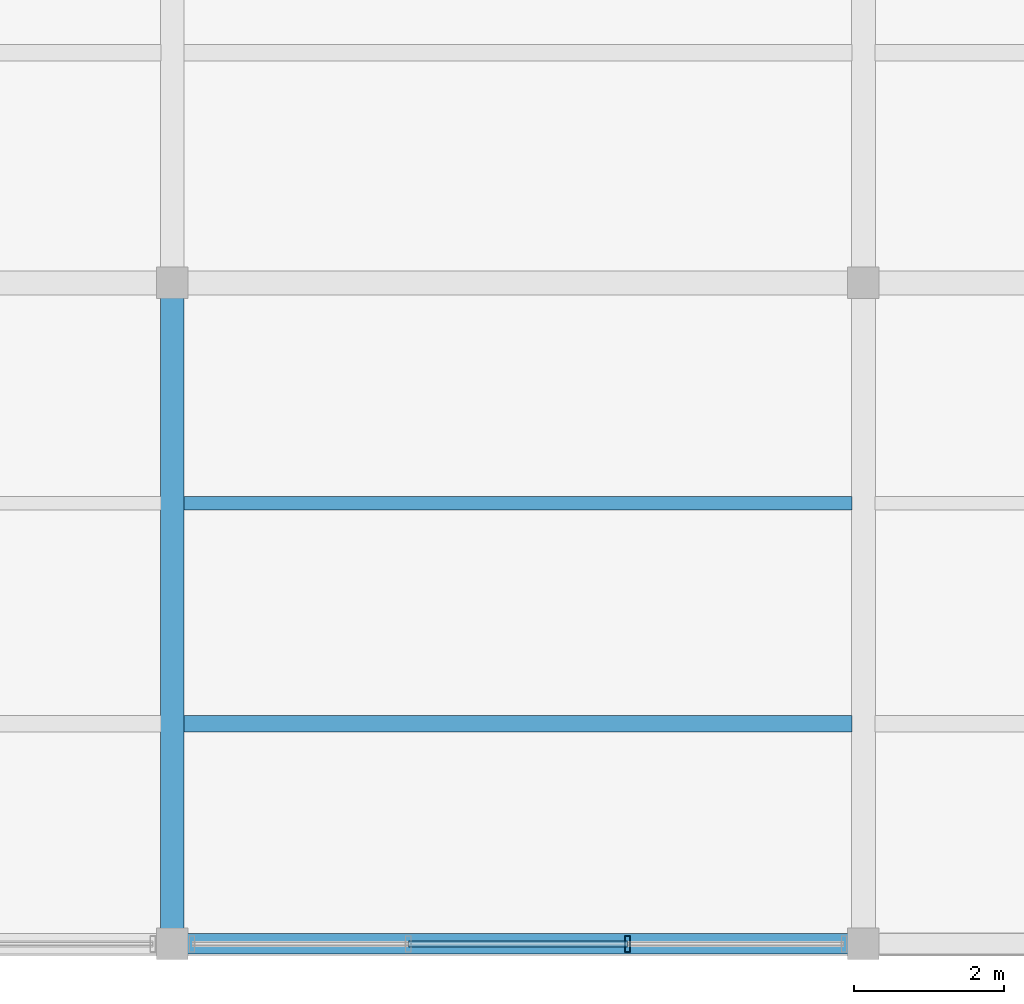
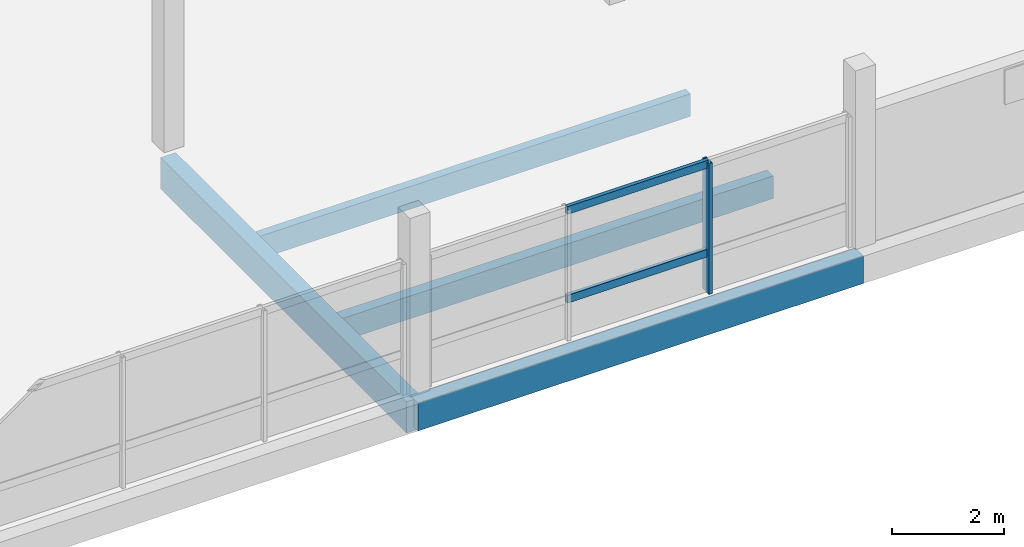
# One storey, part 6 of 47: 4 beams, 3 members, 1 element without a shape of its own.
"""IFC4 building model written with IfcOpenShell, lengths in metres."""

from ifc_helpers import new_model, si_unit, direction, frame, origin, origin_2d, place, context, subcontext, project, spatial, rectangle, hollow_rectangle, extrude, material, layer, layer_set, material_profile, profile_set, type_object, element, aggregate, save


model = new_model("IFC4")

# Units and contexts
model_context = context("Model", 3, precision=1e-05, world=origin(), true_north=direction((0.0, 1.0)))
body_context = subcontext(model_context, "Body", "Model", "MODEL_VIEW")
ifc_project = project(units=[si_unit("LENGTHUNIT", "METRE"), si_unit("AREAUNIT", "SQUARE_METRE"), si_unit("VOLUMEUNIT", "CUBIC_METRE"), si_unit("PLANEANGLEUNIT", "RADIAN"), si_unit("MASSUNIT", "GRAM", prefix="KILO")], contexts=[model_context])

# Site, building, storey
site_placement = place(None, origin())
site = spatial("IfcSite", under=ifc_project, at=site_placement, CompositionType="ELEMENT")
building_placement = place(site_placement, origin())
building = spatial("IfcBuilding", under=site, at=building_placement, Name="Meriwether Solvik Hall", CompositionType="ELEMENT")
storey_placement = place(building_placement, frame((0.0, 0.0, 18.300048828125)))
storey = spatial("IfcBuildingStorey", under=building, at=storey_placement, Name="L04", CompositionType="ELEMENT", Elevation=18.300048828125)

# Beams
ifc_material_1 = material(Name="Glulam Douglas-Fir 24F-V8 GL28h", Category="wood")
ifc_material_profile_1 = material_profile(ifc_material_1, rectangle(XDim=0.27294921875, YDim=0.610107421875, at=origin_2d()), Name="GLB-273X610")
ifc_profile_set_1 = profile_set([ifc_material_profile_1], Name="Glulam Douglas-Fir 24F-V8 GL28h")
beam_type_1 = type_object("IfcBeamType", Name="BM-GL-273X610", PredefinedType="SPANDREL", material=ifc_profile_set_1)
beam_1_placement = place(storey_placement, frame((68.60009765625, 5.199951171875, -0.550048828125), z_axis=(1.0, 0.0, 0.0), x_axis=(0.0, 1.0, 0.0)))
element("IfcBeam", 1, at=beam_1_placement, inside=storey, type_object=beam_type_1, Name="Podium Girder A:8-9 (L04)", PredefinedType="SPANDREL", context=body_context, shape_type="SweptSolid", body=[
    extrude(rectangle(XDim=0.27294921875, YDim=0.610107421875, at=origin_2d()), origin(), (0.0, 0.0, 1.0), 9.199951171875),
])
ifc_material_2 = material(Name="Glulam Douglas-Fir 24F-V8 GL28h", Category="wood")
ifc_material_profile_2 = material_profile(ifc_material_2, rectangle(XDim=0.31494140625, YDim=0.68505859375, at=origin_2d()), Name="GLB-315X685")
ifc_profile_set_2 = profile_set([ifc_material_profile_2], Name="Glulam Douglas-Fir 24F-V8 GL28h")
beam_type_2 = type_object("IfcBeamType", Name="BM-GL-315X685", PredefinedType="BEAM", material=ifc_profile_set_2)
beam_2_placement = place(storey_placement, frame((68.60009765625, 5.199951171875, -0.587646484375), z_axis=(0.0, 1.0, 0.0), x_axis=(-1.0, 0.0, 0.0)))
element("IfcBeam", 2, at=beam_2_placement, inside=storey, type_object=beam_type_2, Name="Podium Girder 8:A-B (L04)", PredefinedType="BEAM", context=body_context, shape_type="SweptSolid", body=[
    extrude(rectangle(XDim=0.31494140625, YDim=0.68505859375, at=origin_2d()), origin(), (0.0, 0.0, 1.0), 8.800048828125),
])

# Curtain wall, members
ifc_material_3 = material(Name="Thermally Broken Anodised Aluminium 6063-T6 and Low-E Glass", Category="aluminium")
ifc_layer = layer(ifc_material_3, 0.179931640625)
ifc_layer_set = layer_set([ifc_layer], Name="Thermally Broken Anodised Aluminium 6063-T6 and Low-E Glass")
curtain_wall_type = type_object("IfcCurtainWallType", Name="CW-UNIT-E", PredefinedType="USERDEFINED", material=ifc_layer_set)
curtain_wall_placement = place(storey_placement, origin())
curtain_wall = element("IfcCurtainWall", 3, at=curtain_wall_placement, inside=storey, type_object=curtain_wall_type, Name="Curtain Wall wing_XA_8_1 (L04)", ObjectType="UNITISED CURTAIN WALL", PredefinedType="USERDEFINED")
ifc_material_4 = material(Name="Anodised Aluminium 6063-T6", Category="aluminium")
ifc_material_profile_3 = material_profile(ifc_material_4, hollow_rectangle(XDim=0.074951171875, YDim=0.219970703125, WallThickness=0.005615234375, at=origin_2d()), Name="CWM-75X220")
ifc_profile_set_3 = profile_set([ifc_material_profile_3], Name="Anodised Aluminium 6063-T6")
member_type_1 = type_object("IfcMemberType", Name="CW-MUL-75X220", PredefinedType="MULLION", material=ifc_profile_set_3)
member_1_placement = place(storey_placement, frame((74.659423828125, 5.199951171875, 0.0), z_axis=(0.0, 0.0, 1.0), x_axis=(-1.0, 0.0, 0.0)))
member_1 = element("IfcMember", 4, at=member_1_placement, type_object=member_type_1, Name="Curtain Wall Mullion 2", PredefinedType="MULLION", context=body_context, shape_type="SweptSolid", body=[
    extrude(hollow_rectangle(XDim=0.074951171875, YDim=0.219970703125, WallThickness=0.005615234375, at=origin_2d()), origin(), (0.0, 0.0, 1.0), 2.85498046875),
])
ifc_material_5 = material(Name="Anodised Aluminium 6063-T6", Category="aluminium")
ifc_material_profile_4 = material_profile(ifc_material_5, hollow_rectangle(XDim=0.074951171875, YDim=0.169921875, WallThickness=0.005615234375, at=origin_2d()), Name="CWT-75X170")
ifc_profile_set_4 = profile_set([ifc_material_profile_4], Name="Anodised Aluminium 6063-T6")
member_type_2 = type_object("IfcMemberType", Name="CW-TRN-75X170", PredefinedType="USERDEFINED", material=ifc_profile_set_4)
member_2_placement = place(storey_placement, frame((74.659423828125, 5.199951171875, 0.8564453125), z_axis=(-1.0, 0.0, 0.0), x_axis=(0.0, -1.0, 0.0)))
member_2 = element("IfcMember", 5, at=member_2_placement, type_object=member_type_2, Name="Curtain Wall Transom 2-sill", ObjectType="TRANSOM", PredefinedType="USERDEFINED", context=body_context, shape_type="SweptSolid", body=[
    extrude(hollow_rectangle(XDim=0.074951171875, YDim=0.169921875, WallThickness=0.005615234375, at=origin_2d()), origin(), (0.0, 0.0, 1.0), 2.918701171875),
])
member_3_placement = place(storey_placement, frame((74.659423828125, 5.199951171875, 2.794921875), z_axis=(-1.0, 0.0, 0.0), x_axis=(0.0, -1.0, 0.0)))
member_3 = element("IfcMember", 6, at=member_3_placement, type_object=member_type_2, Name="Curtain Wall Transom 2-head", ObjectType="TRANSOM", PredefinedType="USERDEFINED", context=body_context, shape_type="SweptSolid", body=[
    extrude(hollow_rectangle(XDim=0.074951171875, YDim=0.169921875, WallThickness=0.005615234375, at=origin_2d()), origin(), (0.0, 0.0, 1.0), 2.918701171875),
])
aggregate(curtain_wall, [member_1, member_2, member_3])

# Beams
ifc_material_6 = material(Name="Glulam Douglas-Fir 24F-V8 GL28h", Category="wood")
ifc_material_profile_5 = material_profile(ifc_material_6, rectangle(XDim=0.175048828125, YDim=0.4951171875, at=origin_2d()), Name="GLJ-175X495")
ifc_profile_set_5 = profile_set([ifc_material_profile_5], Name="Glulam Douglas-Fir 24F-V8 GL28h")
beam_type_3 = type_object("IfcBeamType", Name="JST-GL-175X495", PredefinedType="JOIST", material=ifc_profile_set_5)
beam_3_placement = place(storey_placement, frame((68.75244140625, 11.066650390625, -0.492431640625), z_axis=(1.0, 0.0, 0.0), x_axis=(0.0, 1.0, 0.0)))
element("IfcBeam", 7, at=beam_3_placement, inside=storey, type_object=beam_type_3, Name="Secondary Floor Joist 8/A_J2 (L04)", PredefinedType="JOIST", context=body_context, shape_type="SweptSolid", body=[
    extrude(rectangle(XDim=0.175048828125, YDim=0.4951171875, at=origin_2d()), origin(), (0.0, 0.0, 1.0), 8.89501953125),
])
ifc_material_7 = material(Name="Glulam Douglas-Fir 24F-V8 GL28h", Category="wood")
ifc_material_profile_6 = material_profile(ifc_material_7, rectangle(XDim=0.221923828125, YDim=0.4951171875, at=origin_2d()), Name="GLJ-222X495")
ifc_profile_set_6 = profile_set([ifc_material_profile_6], Name="Glulam Douglas-Fir 24F-V8 GL28h")
beam_type_4 = type_object("IfcBeamType", Name="JST-GL-222X495", PredefinedType="JOIST", material=ifc_profile_set_6)
beam_4_placement = place(storey_placement, frame((68.75244140625, 8.13330078125, -0.492431640625), z_axis=(1.0, 0.0, 0.0), x_axis=(0.0, 1.0, 0.0)))
element("IfcBeam", 8, at=beam_4_placement, inside=storey, type_object=beam_type_4, Name="Secondary Floor Joist 8/A_J1 (L04)", PredefinedType="JOIST", context=body_context, shape_type="SweptSolid", body=[
    extrude(rectangle(XDim=0.221923828125, YDim=0.4951171875, at=origin_2d()), origin(), (0.0, 0.0, 1.0), 8.89501953125),
])

save(model, "model.ifc")
